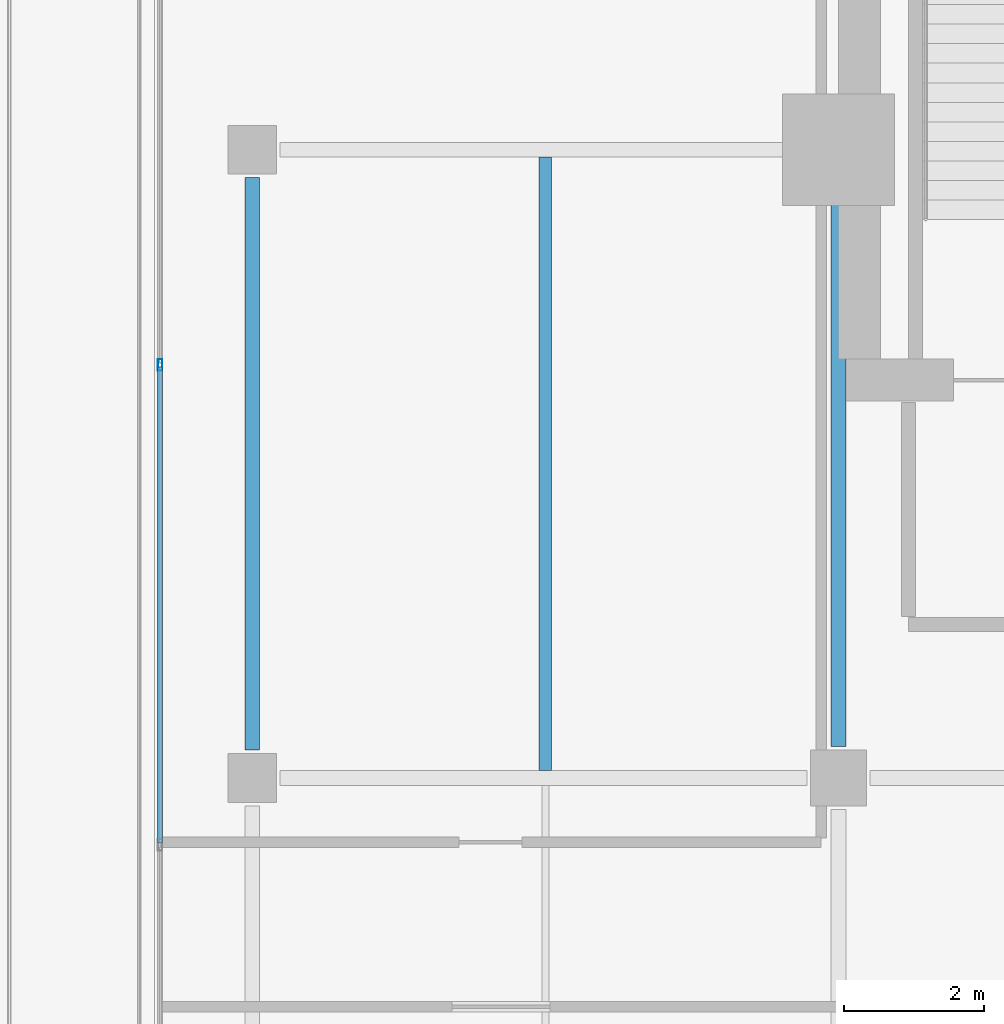
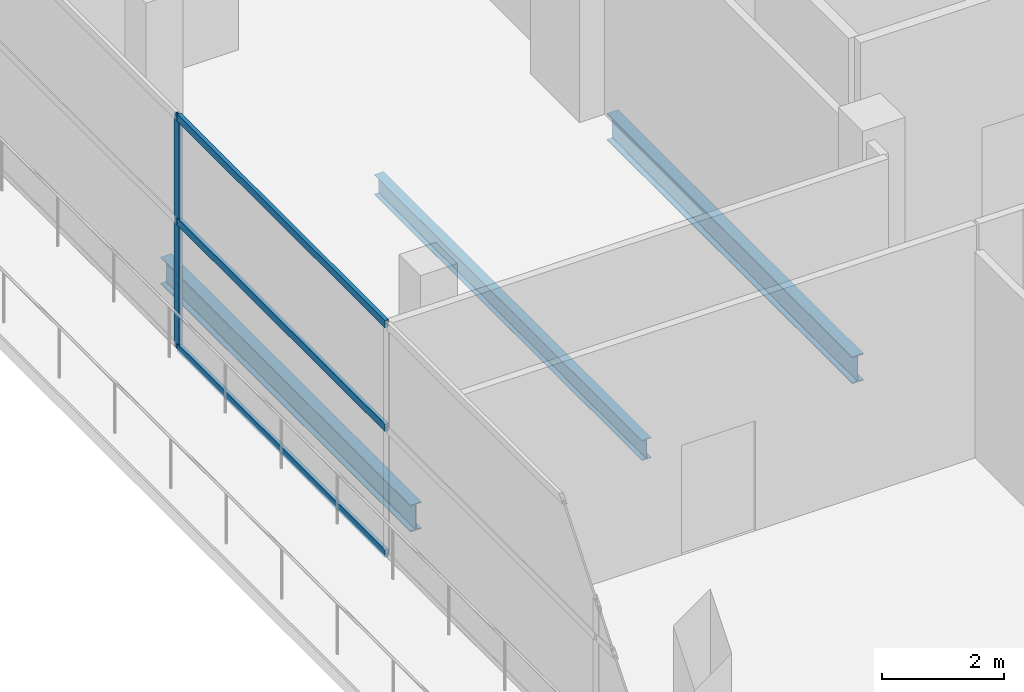
# One storey, part 15 of 28: 4 members, 3 beams, 1 element without a shape of its own.
"""IFC4 building model written with IfcOpenShell, lengths in metres."""

from ifc_helpers import new_model, si_unit, direction, frame, origin, origin_2d, place, context, subcontext, project, spatial, hollow_rectangle, i_section, extrude, material, layer, layer_set, material_profile, profile_set, type_object, element, aggregate, save


model = new_model("IFC4")

# Units and contexts
model_context = context("Model", 3, precision=1e-05, world=origin(), true_north=direction((0.0, 1.0)))
body_context = subcontext(model_context, "Body", "Model", "MODEL_VIEW")
ifc_project = project(units=[si_unit("LENGTHUNIT", "METRE"), si_unit("AREAUNIT", "SQUARE_METRE"), si_unit("VOLUMEUNIT", "CUBIC_METRE"), si_unit("PLANEANGLEUNIT", "RADIAN"), si_unit("MASSUNIT", "GRAM", prefix="KILO")], contexts=[model_context])

# Site, building, storey
site_placement = place(None, origin())
site = spatial("IfcSite", under=ifc_project, at=site_placement, CompositionType="ELEMENT")
building_placement = place(site_placement, origin())
building = spatial("IfcBuilding", under=site, at=building_placement, Name="Maruvema Waterfront Hotel and Observation Tower", CompositionType="ELEMENT")
storey_placement = place(building_placement, frame((0.0, 0.0, 234.5)))
storey = spatial("IfcBuildingStorey", under=building, at=storey_placement, Name="L57", CompositionType="ELEMENT", Elevation=234.5)

# Curtain wall, members
ifc_material_1 = material(Name="Anodised bronze aluminium and solar-control low-E IGU", Category="aluminium")
ifc_layer = layer(ifc_material_1, 0.159912109375, Name="Zone 3 Champagne Inner Thermal Curtain Wall System CW-04")
ifc_layer_set = layer_set([ifc_layer], Name="Anodised bronze aluminium and solar-control low-E IGU")
curtain_wall_type = type_object("IfcCurtainWallType", Name="Zone 3 Champagne Inner Thermal Curtain Wall System CW-04", PredefinedType="USERDEFINED", material=ifc_layer_set)
curtain_wall_placement = place(storey_placement, origin())
curtain_wall = element("IfcCurtainWall", 1, at=curtain_wall_placement, inside=storey, type_object=curtain_wall_type, Name="L57 Curtain Wall CW-L57-W", ObjectType="UNITISED CURTAIN WALL", PredefinedType="USERDEFINED")
ifc_material_2 = material(Name="Anodised architectural bronze aluminium", Category="aluminium")
ifc_material_profile_1 = material_profile(ifc_material_2, hollow_rectangle(XDim=0.070068359375, YDim=0.14990234375, WallThickness=0.00390625, at=origin_2d()), Name="ALU-T70x150")
ifc_profile_set_1 = profile_set([ifc_material_profile_1], Name="Anodised architectural bronze aluminium")
member_type_1 = type_object("IfcMemberType", Name="Curtain Wall Horizontal Transom ALU-T70x150", PredefinedType="USERDEFINED", material=ifc_profile_set_1)
member_1_placement = place(storey_placement, frame((15.47998046875, 41.889892578125, 0.030029296875), z_axis=(0.0, -1.0, 0.0), x_axis=(1.0, 0.0, 0.0)))
member_1 = element("IfcMember", 2, at=member_1_placement, type_object=member_type_1, Name="CW-04 transom 2.1", ObjectType="TRANSOM", PredefinedType="USERDEFINED", context=body_context, shape_type="SweptSolid", body=[
    extrude(hollow_rectangle(XDim=0.070068359375, YDim=0.14990234375, WallThickness=0.00390625, at=origin_2d()), origin(), (0.0, 0.0, 1.0), 6.81982421875),
])
member_2_placement = place(storey_placement, frame((15.47998046875, 41.889892578125, 2.550048828125), z_axis=(0.0, -1.0, 0.0), x_axis=(1.0, 0.0, 0.0)))
member_2 = element("IfcMember", 3, at=member_2_placement, type_object=member_type_1, Name="CW-04 transom 2.2", ObjectType="TRANSOM", PredefinedType="USERDEFINED", context=body_context, shape_type="SweptSolid", body=[
    extrude(hollow_rectangle(XDim=0.070068359375, YDim=0.14990234375, WallThickness=0.00390625, at=origin_2d()), origin(), (0.0, 0.0, 1.0), 6.81982421875),
])
member_3_placement = place(storey_placement, frame((15.47998046875, 41.889892578125, 4.6298828125), z_axis=(0.0, -1.0, 0.0), x_axis=(1.0, 0.0, 0.0)))
member_3 = element("IfcMember", 4, at=member_3_placement, type_object=member_type_1, Name="CW-04 transom 2.3", ObjectType="TRANSOM", PredefinedType="USERDEFINED", context=body_context, shape_type="SweptSolid", body=[
    extrude(hollow_rectangle(XDim=0.070068359375, YDim=0.14990234375, WallThickness=0.00390625, at=origin_2d()), origin(), (0.0, 0.0, 1.0), 6.81982421875),
])
ifc_material_3 = material(Name="Anodised architectural bronze aluminium", Category="aluminium")
ifc_material_profile_2 = material_profile(ifc_material_3, hollow_rectangle(XDim=0.06494140625, YDim=0.1650390625, WallThickness=0.00390625, at=origin_2d()), Name="ALU-M65x165")
ifc_profile_set_2 = profile_set([ifc_material_profile_2], Name="Anodised architectural bronze aluminium")
member_type_2 = type_object("IfcMemberType", Name="Curtain Wall Primary Mullion ALU-M65x165", PredefinedType="MULLION", material=ifc_profile_set_2)
member_4_placement = place(storey_placement, frame((15.47998046875, 41.919921875, 0.0), z_axis=(0.0, 0.0, 1.0), x_axis=(1.0, 0.0, 0.0)))
member_4 = element("IfcMember", 5, at=member_4_placement, type_object=member_type_2, Name="CW-04 mullion 2", PredefinedType="MULLION", context=body_context, shape_type="SweptSolid", body=[
    extrude(hollow_rectangle(XDim=0.06494140625, YDim=0.1650390625, WallThickness=0.00390625, at=origin_2d()), origin(), (0.0, 0.0, 1.0), 4.659912109375),
])
aggregate(curtain_wall, [member_4, member_1, member_2, member_3])

# Beams
ifc_material_4 = material(Name="Steel ASTM A572 Grade 50", Category="steel")
ifc_material_profile_3 = material_profile(ifc_material_4, i_section(OverallWidth=0.2109375, OverallDepth=0.5390625, WebThickness=0.01171875, FlangeThickness=0.018798828125, FilletRadius=0.014892578125, at=origin_2d()), Name="W530x109.0")
ifc_profile_set_3 = profile_set([ifc_material_profile_3], Name="Steel ASTM A572 Grade 50")
beam_type_1 = type_object("IfcBeamType", Name="Primary Floor Girder W530x109.0", PredefinedType="BEAM", material=ifc_profile_set_3)
beam_1_placement = place(storey_placement, frame((16.800048828125, 36.39990234375, -0.509521484375), z_axis=(0.0, 1.0, 0.0), x_axis=(-1.0, 0.0, 0.0)))
element("IfcBeam", 6, at=beam_1_placement, inside=storey, type_object=beam_type_1, Name="L57 Floor Girder NS-03", PredefinedType="BEAM", context=body_context, shape_type="SweptSolid", body=[
    extrude(i_section(OverallWidth=0.2109375, OverallDepth=0.5390625, WebThickness=0.01171875, FlangeThickness=0.018798828125, FilletRadius=0.014892578125, at=origin_2d()), origin(), (0.0, 0.0, 1.0), 8.2001953125),
])
beam_2_placement = place(storey_placement, frame((25.199951171875, 36.449951171875, -0.509521484375), z_axis=(0.0, 1.0, 0.0), x_axis=(-1.0, 0.0, 0.0)))
element("IfcBeam", 7, at=beam_2_placement, inside=storey, type_object=beam_type_1, Name="L57 Floor Girder NS-06", PredefinedType="BEAM", context=body_context, shape_type="SweptSolid", body=[
    extrude(i_section(OverallWidth=0.2109375, OverallDepth=0.5390625, WebThickness=0.01171875, FlangeThickness=0.018798828125, FilletRadius=0.014892578125, at=origin_2d()), origin(), (0.0, 0.0, 1.0), 8.050048828125),
])
ifc_material_5 = material(Name="Steel ASTM A572 Grade 50", Category="steel")
ifc_material_profile_4 = material_profile(ifc_material_5, i_section(OverallWidth=0.177001953125, OverallDepth=0.403076171875, WebThickness=0.007568359375, FlangeThickness=0.010986328125, FilletRadius=0.014892578125, at=origin_2d()), Name="W410x53.0")
ifc_profile_set_4 = profile_set([ifc_material_profile_4], Name="Steel ASTM A572 Grade 50")
beam_type_2 = type_object("IfcBeamType", Name="Secondary Floor Joist W410x53.0", PredefinedType="JOIST", material=ifc_profile_set_4)
beam_3_placement = place(storey_placement, frame((21.0, 36.10546875, -0.44140625), z_axis=(0.0, 1.0, 0.0), x_axis=(-1.0, 0.0, 0.0)))
element("IfcBeam", 8, at=beam_3_placement, inside=storey, type_object=beam_type_2, Name="L57 Secondary Floor Joist JS-03", PredefinedType="JOIST", context=body_context, shape_type="SweptSolid", body=[
    extrude(i_section(OverallWidth=0.177001953125, OverallDepth=0.403076171875, WebThickness=0.007568359375, FlangeThickness=0.010986328125, FilletRadius=0.014892578125, at=origin_2d()), origin(), (0.0, 0.0, 1.0), 8.7890625),
])

save(model, "model.ifc")
